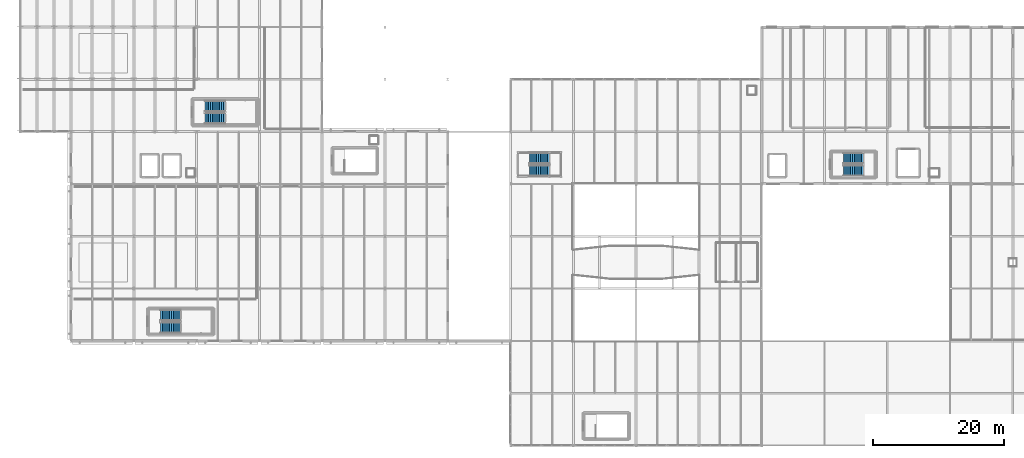
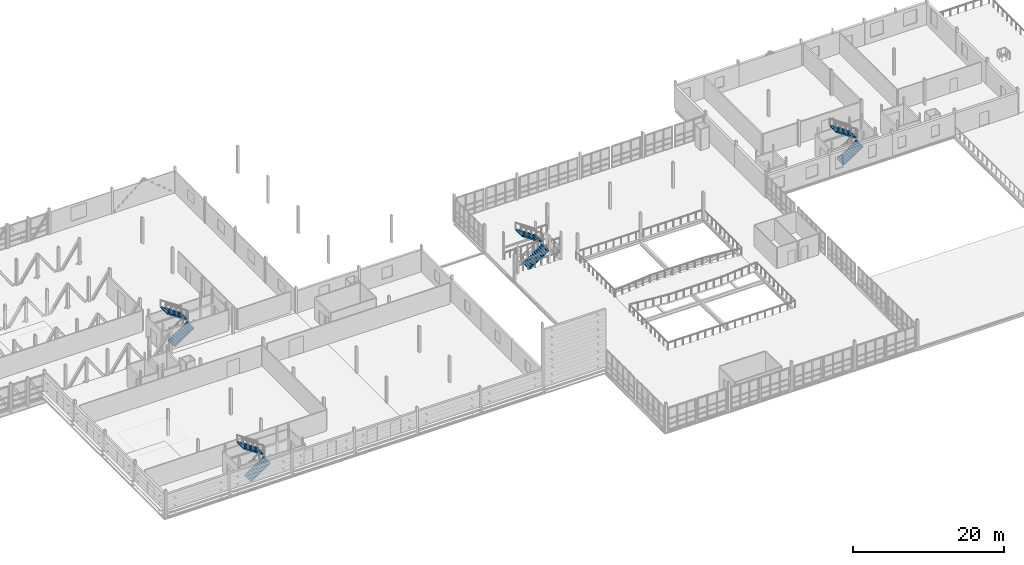
# One storey, part 65 of 73: 8 stair flights, 4 elements without a shape of their own.
"""IFC4 building model written with IfcOpenShell, lengths in metres."""

from ifc_helpers import new_model, si_unit, direction, frame, origin, place, context, subcontext, project, spatial, polyline, outline, extrude, material, type_object, element, aggregate, save


model = new_model("IFC4")

# Units and contexts
model_context = context("Model", 3, precision=1e-05, world=origin(), true_north=direction((0.0, 1.0)))
body_context = subcontext(model_context, "Body", "Model", "MODEL_VIEW")
ifc_project = project(units=[si_unit("LENGTHUNIT", "METRE"), si_unit("AREAUNIT", "SQUARE_METRE"), si_unit("VOLUMEUNIT", "CUBIC_METRE"), si_unit("PLANEANGLEUNIT", "RADIAN"), si_unit("MASSUNIT", "GRAM", prefix="KILO")], contexts=[model_context])

# Site, building, storey
site_placement = place(None, origin())
site = spatial("IfcSite", under=ifc_project, at=site_placement, CompositionType="ELEMENT")
building_placement = place(site_placement, origin())
building = spatial("IfcBuilding", under=site, at=building_placement, Name="Alderhovde Museum", CompositionType="ELEMENT")
storey_placement = place(building_placement, frame((0.0, 0.0, 12.89990234375)))
storey = spatial("IfcBuildingStorey", under=building, at=storey_placement, Name="L03", CompositionType="ELEMENT", Elevation=12.89990234375)

# Stair, stair flights
ifc_material_1 = material(Name="Concrete C35/45", Category="concrete")
stair_type = type_object("IfcStairType", Name="STR-1500-4500", PredefinedType="HALF_TURN_STAIR", material=ifc_material_1)
stair_1_placement = place(storey_placement, origin())
stair_1 = element("IfcStair", 1, at=stair_1_placement, inside=storey, type_object=stair_type, Name="L03 Escape Stair ST1", PredefinedType="HALF_TURN_STAIR")
ifc_material_2 = material(Name="Concrete C35/45", Category="concrete")
stair_flight_type = type_object("IfcStairFlightType", Name="STF-1500-4500", PredefinedType="STRAIGHT", material=ifc_material_2)
stair_flight_1_placement = place(storey_placement, frame((23.280029296875, 50.0400390625, 0.0), z_axis=(0.0, 0.0, 1.0), x_axis=(1.0, 0.0, 0.0)))
stair_flight_1 = element("IfcStairFlight", 2, at=stair_flight_1_placement, type_object=stair_flight_type, Name="ST1 flight 1", NumberOfRisers=12, NumberOfTreads=11, PredefinedType="STRAIGHT", RiserHeight=0.1875, TreadLength=0.28, context=body_context, shape_type="SweptSolid", body=[
    extrude(outline(polyline([(0.0, 0.0), (0.0, 0.1875), (0.280029296875, 0.1875), (0.280029296875, 0.375), (0.56005859375, 0.375), (0.56005859375, 0.5625), (0.840087890625, 0.5625), (0.840087890625, 0.75), (1.1201171875, 0.75), (1.1201171875, 0.9375), (1.39990234375, 0.9375), (1.39990234375, 1.125), (1.679931640625, 1.125), (1.679931640625, 1.3125), (1.9599609375, 1.3125), (1.9599609375, 1.5), (2.239990234375, 1.5), (2.239990234375, 1.6875), (2.52001953125, 1.6875), (2.52001953125, 1.875), (2.800048828125, 1.875), (2.800048828125, 2.0625), (3.080078125, 2.0625), (3.080078125, 2.25), (3.080078125, 1.882080078125), (0.26953125, 0.0), (0.0, 0.0)])), frame((0.0, 0.83984375, 0.0), z_axis=(0.0, -1.0, 0.0), x_axis=(1.0, 0.0, 0.0)), (0.0, 0.0, 1.0), 1.679931640625),
])
stair_flight_2_placement = place(storey_placement, frame((26.360107421875, 51.919921875, 2.25), z_axis=(0.0, 0.0, 1.0), x_axis=(-1.0, 0.0, 0.0)))
stair_flight_2 = element("IfcStairFlight", 3, at=stair_flight_2_placement, type_object=stair_flight_type, Name="ST1 flight 2", NumberOfRisers=12, NumberOfTreads=11, PredefinedType="STRAIGHT", RiserHeight=0.1875, TreadLength=0.28, context=body_context, shape_type="SweptSolid", body=[
    extrude(outline(polyline([(0.0, 0.0), (0.0, 0.1875), (0.280029296875, 0.1875), (0.280029296875, 0.375), (0.56005859375, 0.375), (0.56005859375, 0.5625), (0.840087890625, 0.5625), (0.840087890625, 0.75), (1.1201171875, 0.75), (1.1201171875, 0.9375), (1.39990234375, 0.9375), (1.39990234375, 1.125), (1.679931640625, 1.125), (1.679931640625, 1.3125), (1.9599609375, 1.3125), (1.9599609375, 1.5), (2.239990234375, 1.5), (2.239990234375, 1.6875), (2.52001953125, 1.6875), (2.52001953125, 1.875), (2.800048828125, 1.875), (2.800048828125, 2.0625), (3.080078125, 2.0625), (3.080078125, 2.25), (3.080078125, 1.882080078125), (0.26953125, 0.0), (0.0, 0.0)])), frame((0.0, 0.83984375, 0.0), z_axis=(0.0, -1.0, 0.0), x_axis=(1.0, 0.0, 0.0)), (0.0, 0.0, 1.0), 1.679931640625),
])
aggregate(stair_1, [stair_flight_1, stair_flight_2])

stair_2_placement = place(storey_placement, origin())
stair_2 = element("IfcStair", 4, at=stair_2_placement, inside=storey, type_object=stair_type, Name="L03 Escape Stair ST2", PredefinedType="HALF_TURN_STAIR")
stair_flight_3_placement = place(storey_placement, frame((30.080078125, 82.0400390625, 0.0), z_axis=(0.0, 0.0, 1.0), x_axis=(1.0, 0.0, 0.0)))
stair_flight_3 = element("IfcStairFlight", 5, at=stair_flight_3_placement, type_object=stair_flight_type, Name="ST2 flight 1", NumberOfRisers=12, NumberOfTreads=11, PredefinedType="STRAIGHT", RiserHeight=0.1875, TreadLength=0.28, context=body_context, shape_type="SweptSolid", body=[
    extrude(outline(polyline([(0.0, 0.0), (0.0, 0.1875), (0.280029296875, 0.1875), (0.280029296875, 0.375), (0.56005859375, 0.375), (0.56005859375, 0.5625), (0.840087890625, 0.5625), (0.840087890625, 0.75), (1.1201171875, 0.75), (1.1201171875, 0.9375), (1.39990234375, 0.9375), (1.39990234375, 1.125), (1.679931640625, 1.125), (1.679931640625, 1.3125), (1.9599609375, 1.3125), (1.9599609375, 1.5), (2.239990234375, 1.5), (2.239990234375, 1.6875), (2.52001953125, 1.6875), (2.52001953125, 1.875), (2.800048828125, 1.875), (2.800048828125, 2.0625), (3.080078125, 2.0625), (3.080078125, 2.25), (3.080078125, 1.882080078125), (0.26953125, 0.0), (0.0, 0.0)])), frame((0.0, 0.83984375, 0.0), z_axis=(0.0, -1.0, 0.0), x_axis=(1.0, 0.0, 0.0)), (0.0, 0.0, 1.0), 1.679931640625),
])
stair_flight_4_placement = place(storey_placement, frame((33.159912109375, 83.919921875, 2.25), z_axis=(0.0, 0.0, 1.0), x_axis=(-1.0, 0.0, 0.0)))
stair_flight_4 = element("IfcStairFlight", 6, at=stair_flight_4_placement, type_object=stair_flight_type, Name="ST2 flight 2", NumberOfRisers=12, NumberOfTreads=11, PredefinedType="STRAIGHT", RiserHeight=0.1875, TreadLength=0.28, context=body_context, shape_type="SweptSolid", body=[
    extrude(outline(polyline([(0.0, 0.0), (0.0, 0.1875), (0.280029296875, 0.1875), (0.280029296875, 0.375), (0.56005859375, 0.375), (0.56005859375, 0.5625), (0.840087890625, 0.5625), (0.840087890625, 0.75), (1.1201171875, 0.75), (1.1201171875, 0.9375), (1.39990234375, 0.9375), (1.39990234375, 1.125), (1.679931640625, 1.125), (1.679931640625, 1.3125), (1.9599609375, 1.3125), (1.9599609375, 1.5), (2.239990234375, 1.5), (2.239990234375, 1.6875), (2.52001953125, 1.6875), (2.52001953125, 1.875), (2.800048828125, 1.875), (2.800048828125, 2.0625), (3.080078125, 2.0625), (3.080078125, 2.25), (3.080078125, 1.882080078125), (0.26953125, 0.0), (0.0, 0.0)])), frame((0.0, 0.83984375, 0.0), z_axis=(0.0, -1.0, 0.0), x_axis=(1.0, 0.0, 0.0)), (0.0, 0.0, 1.0), 1.679931640625),
])
aggregate(stair_2, [stair_flight_3, stair_flight_4])

stair_3_placement = place(storey_placement, origin())
stair_3 = element("IfcStair", 7, at=stair_3_placement, inside=storey, type_object=stair_type, Name="L03 Escape Stair ST4", PredefinedType="HALF_TURN_STAIR")
stair_flight_5_placement = place(storey_placement, frame((127.679931640625, 74.0400390625, 0.0), z_axis=(0.0, 0.0, 1.0), x_axis=(1.0, 0.0, 0.0)))
stair_flight_5 = element("IfcStairFlight", 8, at=stair_flight_5_placement, type_object=stair_flight_type, Name="ST4 flight 1", NumberOfRisers=12, NumberOfTreads=11, PredefinedType="STRAIGHT", RiserHeight=0.1875, TreadLength=0.28, context=body_context, shape_type="SweptSolid", body=[
    extrude(outline(polyline([(0.0, 0.0), (0.0, 0.1875), (0.280029296875, 0.1875), (0.280029296875, 0.375), (0.56005859375, 0.375), (0.56005859375, 0.5625), (0.840087890625, 0.5625), (0.840087890625, 0.75), (1.1201171875, 0.75), (1.1201171875, 0.9375), (1.39990234375, 0.9375), (1.39990234375, 1.125), (1.679931640625, 1.125), (1.679931640625, 1.3125), (1.9599609375, 1.3125), (1.9599609375, 1.5), (2.239990234375, 1.5), (2.239990234375, 1.6875), (2.52001953125, 1.6875), (2.52001953125, 1.875), (2.800048828125, 1.875), (2.800048828125, 2.0625), (3.080078125, 2.0625), (3.080078125, 2.25), (3.080078125, 1.882080078125), (0.26953125, 0.0), (0.0, 0.0)])), frame((0.0, 0.83984375, 0.0), z_axis=(0.0, -1.0, 0.0), x_axis=(1.0, 0.0, 0.0)), (0.0, 0.0, 1.0), 1.679931640625),
])
stair_flight_6_placement = place(storey_placement, frame((130.760009765625, 75.919921875, 2.25), z_axis=(0.0, 0.0, 1.0), x_axis=(-1.0, 0.0, 0.0)))
stair_flight_6 = element("IfcStairFlight", 9, at=stair_flight_6_placement, type_object=stair_flight_type, Name="ST4 flight 2", NumberOfRisers=12, NumberOfTreads=11, PredefinedType="STRAIGHT", RiserHeight=0.1875, TreadLength=0.28, context=body_context, shape_type="SweptSolid", body=[
    extrude(outline(polyline([(0.0, 0.0), (0.0, 0.1875), (0.280029296875, 0.1875), (0.280029296875, 0.375), (0.56005859375, 0.375), (0.56005859375, 0.5625), (0.840087890625, 0.5625), (0.840087890625, 0.75), (1.1201171875, 0.75), (1.1201171875, 0.9375), (1.39990234375, 0.9375), (1.39990234375, 1.125), (1.679931640625, 1.125), (1.679931640625, 1.3125), (1.9599609375, 1.3125), (1.9599609375, 1.5), (2.239990234375, 1.5), (2.239990234375, 1.6875), (2.52001953125, 1.6875), (2.52001953125, 1.875), (2.800048828125, 1.875), (2.800048828125, 2.0625), (3.080078125, 2.0625), (3.080078125, 2.25), (3.080078125, 1.882080078125), (0.26953125, 0.0), (0.0, 0.0)])), frame((0.0, 0.83984375, 0.0), z_axis=(0.0, -1.0, 0.0), x_axis=(1.0, 0.0, 0.0)), (0.0, 0.0, 1.0), 1.679931640625),
])
aggregate(stair_3, [stair_flight_5, stair_flight_6])

stair_4_placement = place(storey_placement, origin())
stair_4 = element("IfcStair", 10, at=stair_4_placement, inside=storey, type_object=stair_type, Name="L03 Conservatory Grand Stair ST5", PredefinedType="HALF_TURN_STAIR")
stair_flight_7_placement = place(storey_placement, frame((79.679931640625, 74.0400390625, 0.0), z_axis=(0.0, 0.0, 1.0), x_axis=(1.0, 0.0, 0.0)))
stair_flight_7 = element("IfcStairFlight", 11, at=stair_flight_7_placement, type_object=stair_flight_type, Name="ST5 flight 1", NumberOfRisers=12, NumberOfTreads=11, PredefinedType="STRAIGHT", RiserHeight=0.1875, TreadLength=0.28, context=body_context, shape_type="SweptSolid", body=[
    extrude(outline(polyline([(0.0, 0.0), (0.0, 0.1875), (0.280029296875, 0.1875), (0.280029296875, 0.375), (0.56005859375, 0.375), (0.56005859375, 0.5625), (0.840087890625, 0.5625), (0.840087890625, 0.75), (1.1201171875, 0.75), (1.1201171875, 0.9375), (1.39990234375, 0.9375), (1.39990234375, 1.125), (1.679931640625, 1.125), (1.679931640625, 1.3125), (1.9599609375, 1.3125), (1.9599609375, 1.5), (2.239990234375, 1.5), (2.239990234375, 1.6875), (2.52001953125, 1.6875), (2.52001953125, 1.875), (2.800048828125, 1.875), (2.800048828125, 2.0625), (3.080078125, 2.0625), (3.080078125, 2.25), (3.080078125, 1.882080078125), (0.26953125, 0.0), (0.0, 0.0)])), frame((0.0, 0.83984375, 0.0), z_axis=(0.0, -1.0, 0.0), x_axis=(1.0, 0.0, 0.0)), (0.0, 0.0, 1.0), 1.679931640625),
])
stair_flight_8_placement = place(storey_placement, frame((82.760009765625, 75.919921875, 2.25), z_axis=(0.0, 0.0, 1.0), x_axis=(-1.0, 0.0, 0.0)))
stair_flight_8 = element("IfcStairFlight", 12, at=stair_flight_8_placement, type_object=stair_flight_type, Name="ST5 flight 2", NumberOfRisers=12, NumberOfTreads=11, PredefinedType="STRAIGHT", RiserHeight=0.1875, TreadLength=0.28, context=body_context, shape_type="SweptSolid", body=[
    extrude(outline(polyline([(0.0, 0.0), (0.0, 0.1875), (0.280029296875, 0.1875), (0.280029296875, 0.375), (0.56005859375, 0.375), (0.56005859375, 0.5625), (0.840087890625, 0.5625), (0.840087890625, 0.75), (1.1201171875, 0.75), (1.1201171875, 0.9375), (1.39990234375, 0.9375), (1.39990234375, 1.125), (1.679931640625, 1.125), (1.679931640625, 1.3125), (1.9599609375, 1.3125), (1.9599609375, 1.5), (2.239990234375, 1.5), (2.239990234375, 1.6875), (2.52001953125, 1.6875), (2.52001953125, 1.875), (2.800048828125, 1.875), (2.800048828125, 2.0625), (3.080078125, 2.0625), (3.080078125, 2.25), (3.080078125, 1.882080078125), (0.26953125, 0.0), (0.0, 0.0)])), frame((0.0, 0.83984375, 0.0), z_axis=(0.0, -1.0, 0.0), x_axis=(1.0, 0.0, 0.0)), (0.0, 0.0, 1.0), 1.679931640625),
])
aggregate(stair_4, [stair_flight_7, stair_flight_8])

save(model, "model.ifc")
